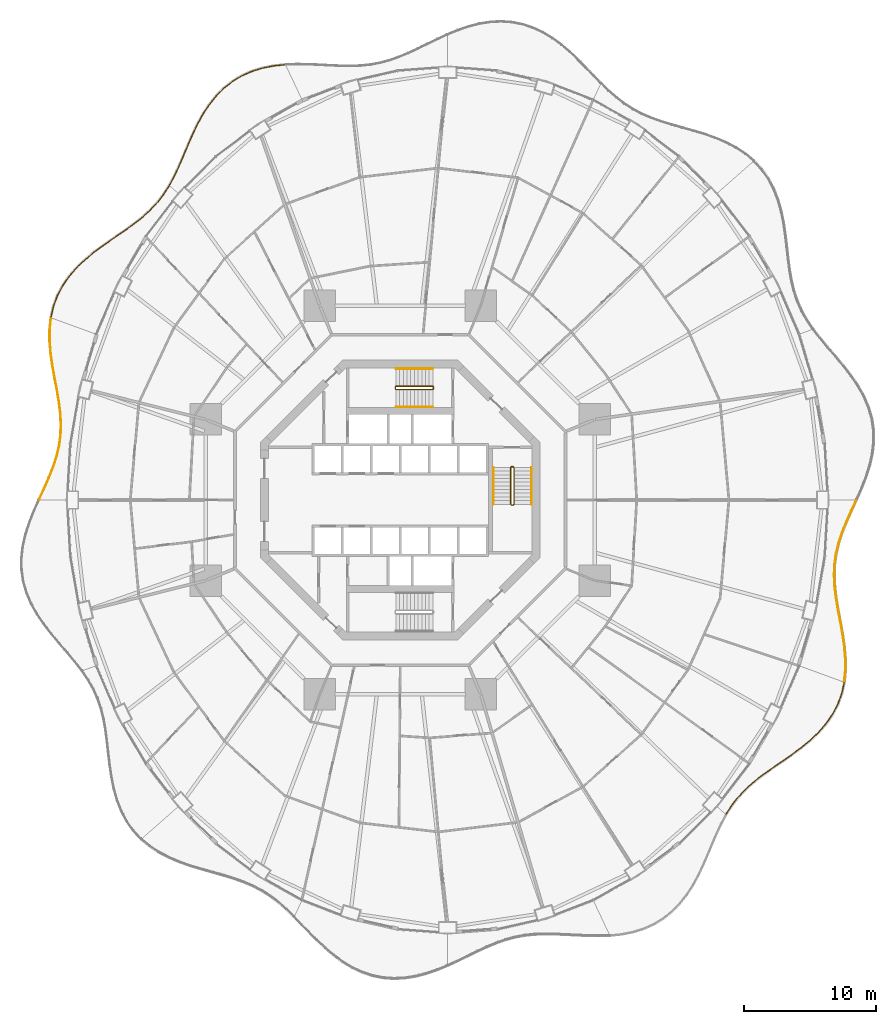
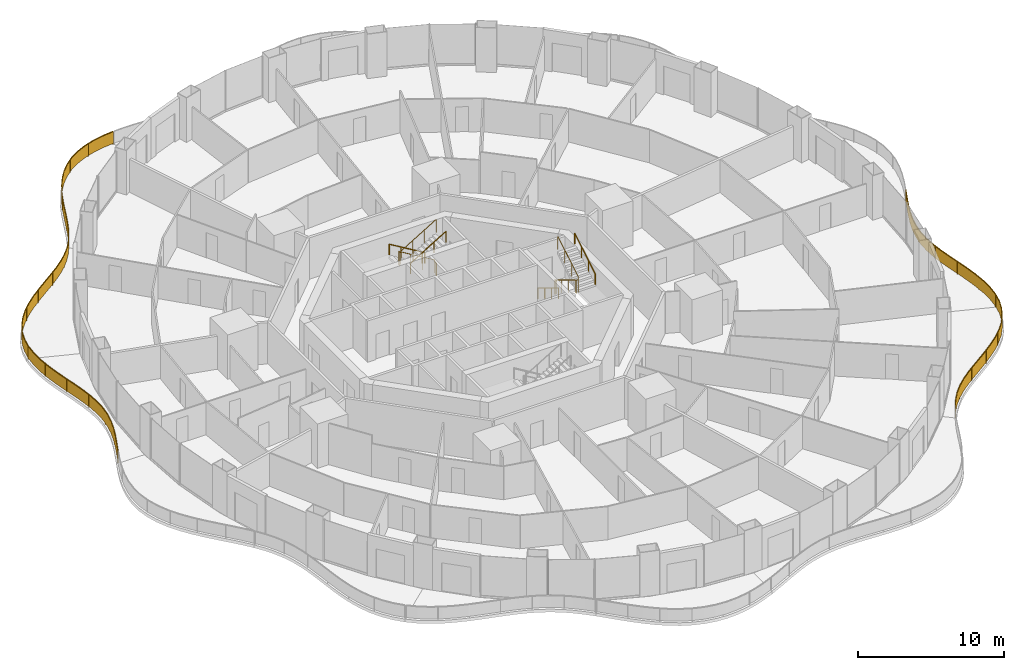
# One storey, part 21 of 22: 11 railings.
"""IFC4 building model written with IfcOpenShell, lengths in metres."""

from ifc_helpers import new_model, si_unit, direction, frame, origin, origin_2d, place, context, subcontext, project, spatial, polyline, rectangle, circle, outline, extrude, material, type_object, element, save


model = new_model("IFC4")

# Units and contexts
model_context = context("Model", 3, precision=1e-05, world=origin(), true_north=direction((0.0, 1.0)))
body_context = subcontext(model_context, "Body", "Model", "MODEL_VIEW")
ifc_project = project(units=[si_unit("LENGTHUNIT", "METRE"), si_unit("AREAUNIT", "SQUARE_METRE"), si_unit("VOLUMEUNIT", "CUBIC_METRE"), si_unit("PLANEANGLEUNIT", "RADIAN"), si_unit("MASSUNIT", "GRAM", prefix="KILO")], contexts=[model_context])

# Site, building, storey
site_placement = place(None, origin())
site = spatial("IfcSite", under=ifc_project, at=site_placement, CompositionType="ELEMENT")
building_placement = place(site_placement, origin())
building = spatial("IfcBuilding", under=site, at=building_placement, Name="Nagisa Residences", CompositionType="ELEMENT")
storey_placement = place(building_placement, frame((0.0, 0.0, 49.199951171875)))
storey = spatial("IfcBuildingStorey", under=building, at=storey_placement, Name="L11", CompositionType="ELEMENT", Elevation=49.199951171875)

# Railings
ifc_material_1 = material(Name="Stainless steel 316", Category="steel")
railing_type_1 = type_object("IfcRailingType", Name="BALCONY GUARD 1100", PredefinedType="BALUSTRADE", material=ifc_material_1)
railing_1_placement = place(storey_placement, frame((-8.765380859375, 33.09228515625, 0.0)))
element("IfcRailing", 1, at=railing_1_placement, inside=storey, type_object=railing_type_1, Name="guard:L11:bal05-0", PredefinedType="BALUSTRADE", context=body_context, shape_type="SweptSolid", body=[
    extrude(outline(polyline([(-0.82861328125, -0.110107421875), (0.00244140625, -0.02490234375), (-0.00244140625, 0.02490234375), (-0.8359375, -0.060791015625), (-1.694580078125, -0.22900390625), (-2.519287109375, -0.483642578125), (-3.29931640625, -0.829833984375), (-4.024169921875, -1.267822265625), (-4.677001953125, -1.7880859375), (-5.27783203125, -2.398193359375), (-5.814453125, -3.078369140625), (-6.290283203125, -3.814697265625), (-6.712890625, -4.590576171875), (-7.07958984375, -5.37841796875), (-7.428466796875, -6.1826171875), (-7.76171875, -6.97705078125), (-8.09423828125, -7.748046875), (-8.441650390625, -8.48486328125), (-8.796142578125, -9.143310546875), (-8.752197265625, -9.167236328125), (-8.396728515625, -8.50732421875), (-8.048828125, -7.7685546875), (-7.7158203125, -6.99658203125), (-7.382568359375, -6.2021484375), (-7.0341796875, -5.39892578125), (-6.66796875, -4.613037109375), (-6.247314453125, -3.840087890625), (-5.77392578125, -3.107666015625), (-5.240234375, -2.431396484375), (-4.643310546875, -1.8251953125), (-3.995361328125, -1.308837890625), (-3.2763671875, -0.874267578125), (-2.501708984375, -0.530517578125), (-1.682373046875, -0.27783203125), (-0.82861328125, -0.110107421875)])), frame((0.0, 0.0, 1.050048828125)), (0.0, 0.0, 1.0), 0.050048828125),
    extrude(outline(polyline([(-0.831298828125, -0.09228515625), (0.000732421875, -0.007080078125), (-0.000732421875, 0.007080078125), (-0.833251953125, -0.07861328125), (-1.690185546875, -0.24658203125), (-2.512939453125, -0.50048828125), (-3.291015625, -0.845947265625), (-4.013671875, -1.282470703125), (-4.664794921875, -1.801513671875), (-5.264404296875, -2.41015625), (-5.7998046875, -3.0888671875), (-6.27490234375, -3.82373046875), (-6.69677734375, -4.5986328125), (-7.063232421875, -5.3857421875), (-7.411865234375, -6.189697265625), (-7.7451171875, -6.984130859375), (-8.077880859375, -7.75537109375), (-8.425537109375, -8.492919921875), (-8.7802734375, -9.15185546875), (-8.76806640625, -9.15869140625), (-8.412841796875, -8.499267578125), (-8.065185546875, -7.76123046875), (-7.732421875, -6.989501953125), (-7.399169921875, -6.195068359375), (-7.050537109375, -5.3916015625), (-6.68408203125, -4.60498046875), (-6.2626953125, -3.8310546875), (-5.78857421875, -3.09716796875), (-5.253662109375, -2.41943359375), (-4.655517578125, -1.811767578125), (-4.005859375, -1.294189453125), (-3.28466796875, -0.858154296875), (-2.508056640625, -0.513671875), (-1.686767578125, -0.26025390625), (-0.831298828125, -0.09228515625)])), frame((0.0, 0.0, 0.06005859375)), (0.0, 0.0, 1.0), 0.989990234375),
    extrude(rectangle(XDim=0.0400390625, YDim=0.0400390625, at=origin_2d()), origin(), (0.0, 0.0, 1.0), 1.050048828125),
    extrude(rectangle(XDim=0.0400390625, YDim=0.0400390625, at=origin_2d()), frame((-2.2177734375, -0.416748046875, 0.0)), (0.0, 0.0, 1.0), 1.050048828125),
    extrude(rectangle(XDim=0.0400390625, YDim=0.0400390625, at=origin_2d()), frame((-4.21533203125, -1.4521484375, 0.0)), (0.0, 0.0, 1.0), 1.050048828125),
    extrude(rectangle(XDim=0.0400390625, YDim=0.0400390625, at=origin_2d()), frame((-5.77978515625, -3.074951171875, 0.0)), (0.0, 0.0, 1.0), 1.050048828125),
    extrude(rectangle(XDim=0.0400390625, YDim=0.0400390625, at=origin_2d()), frame((-6.894775390625, -5.040283203125, 0.0)), (0.0, 0.0, 1.0), 1.050048828125),
    extrude(rectangle(XDim=0.0400390625, YDim=0.0400390625, at=origin_2d()), frame((-7.794677734375, -7.11669921875, 0.0)), (0.0, 0.0, 1.0), 1.050048828125),
    extrude(rectangle(XDim=0.0400390625, YDim=0.0400390625, at=origin_2d()), frame((-8.774169921875, -9.1552734375, 0.0)), (0.0, 0.0, 1.0), 1.050048828125),
])
railing_2_placement = place(storey_placement, frame((-17.573974609375, 23.875244140625, 0.0)))
element("IfcRailing", 2, at=railing_2_placement, inside=storey, type_object=railing_type_1, Name="guard:L11:bal06-0", PredefinedType="BALUSTRADE", context=body_context, shape_type="SweptSolid", body=[
    extrude(outline(polyline([(-0.394287109375, -0.6611328125), (0.02099609375, -0.013427734375), (-0.02099609375, 0.013427734375), (-0.435302734375, -0.63232421875), (-0.92578125, -1.263427734375), (-1.475341796875, -1.849609375), (-2.084228515625, -2.3984375), (-2.7470703125, -2.92041015625), (-3.4462890625, -3.416015625), (-4.18310546875, -3.923828125), (-4.931884765625, -4.4443359375), (-5.671630859375, -4.990234375), (-6.380859375, -5.572021484375), (-7.031982421875, -6.184326171875), (-7.618896484375, -6.858642578125), (-8.118896484375, -7.582763671875), (-8.520263671875, -8.355712890625), (-8.816650390625, -9.17236328125), (-8.99609375, -9.97998046875), (-8.947265625, -9.99072265625), (-8.768310546875, -9.1865234375), (-8.474365234375, -8.375732421875), (-8.075927734375, -7.608642578125), (-7.579345703125, -6.889404296875), (-6.995849609375, -6.218994140625), (-6.34765625, -5.609619140625), (-5.640869140625, -5.02978515625), (-4.902587890625, -4.48486328125), (-4.15478515625, -3.96484375), (-3.41748046875, -3.45703125), (-2.71728515625, -2.96044921875), (-2.052001953125, -2.4365234375), (-1.440185546875, -1.88525390625), (-0.8876953125, -1.296142578125), (-0.394287109375, -0.6611328125)])), frame((0.0, 0.0, 1.050048828125)), (0.0, 0.0, 1.0), 0.050048828125),
    extrude(outline(polyline([(-0.4091796875, -0.65087890625), (0.005859375, -0.003662109375), (-0.005859375, 0.003662109375), (-0.42041015625, -0.642578125), (-0.912109375, -1.275146484375), (-1.462646484375, -1.862548828125), (-2.072509765625, -2.412109375), (-2.736328125, -2.934814453125), (-3.435791015625, -3.4306640625), (-4.1728515625, -3.9384765625), (-4.92138671875, -4.458984375), (-5.66064453125, -5.00439453125), (-6.368896484375, -5.58544921875), (-7.01904296875, -6.19677734375), (-7.604736328125, -6.86962890625), (-8.103515625, -7.592041015625), (-8.503662109375, -8.36279296875), (-8.79931640625, -9.177490234375), (-8.978515625, -9.98388671875), (-8.96484375, -9.98681640625), (-8.78564453125, -9.181396484375), (-8.490966796875, -8.36865234375), (-8.09130859375, -7.599365234375), (-7.593505859375, -6.87841796875), (-7.0087890625, -6.20654296875), (-6.359619140625, -5.59619140625), (-5.65185546875, -5.015625), (-4.9130859375, -4.47021484375), (-4.1650390625, -3.9501953125), (-3.427978515625, -3.4423828125), (-2.72802734375, -2.946044921875), (-2.063720703125, -2.4228515625), (-1.452880859375, -1.872314453125), (-0.9013671875, -1.284423828125), (-0.4091796875, -0.65087890625)])), frame((0.0, 0.0, 0.06005859375)), (0.0, 0.0, 1.0), 0.989990234375),
    extrude(rectangle(XDim=0.0400390625, YDim=0.0400390625, at=origin_2d()), origin(), (0.0, 0.0, 1.0), 1.050048828125),
    extrude(rectangle(XDim=0.0400390625, YDim=0.0400390625, at=origin_2d()), frame((-1.4013671875, -1.807373046875, 0.0)), (0.0, 0.0, 1.0), 1.050048828125),
    extrude(rectangle(XDim=0.0400390625, YDim=0.0400390625, at=origin_2d()), frame((-3.176025390625, -3.255126953125, 0.0)), (0.0, 0.0, 1.0), 1.050048828125),
    extrude(rectangle(XDim=0.0400390625, YDim=0.0400390625, at=origin_2d()), frame((-5.056640625, -4.5673828125, 0.0)), (0.0, 0.0, 1.0), 1.050048828125),
    extrude(rectangle(XDim=0.0400390625, YDim=0.0400390625, at=origin_2d()), frame((-6.824951171875, -6.02392578125, 0.0)), (0.0, 0.0, 1.0), 1.050048828125),
    extrude(rectangle(XDim=0.0400390625, YDim=0.0400390625, at=origin_2d()), frame((-8.2197265625, -7.831298828125, 0.0)), (0.0, 0.0, 1.0), 1.050048828125),
    extrude(rectangle(XDim=0.0400390625, YDim=0.0400390625, at=origin_2d()), frame((-8.9716796875, -9.9853515625, 0.0)), (0.0, 0.0, 1.0), 1.050048828125),
])
railing_3_placement = place(storey_placement, frame((-26.557373046875, 13.8134765625, 0.0)))
element("IfcRailing", 3, at=railing_3_placement, inside=storey, type_object=railing_type_1, Name="guard:L11:bal07-0", PredefinedType="BALUSTRADE", context=body_context, shape_type="SweptSolid", body=[
    extrude(outline(polyline([(-0.060546875, -0.86279296875), (0.02490234375, -0.00244140625), (-0.02490234375, 0.00244140625), (-0.11083984375, -0.8603515625), (-0.107421875, -1.78955078125), (-0.027587890625, -2.7265625), (0.107421875, -3.661865234375), (0.272216796875, -4.5869140625), (0.445068359375, -5.4814453125), (0.59375, -6.36865234375), (0.69921875, -7.2333984375), (0.742919921875, -8.0771484375), (0.71240234375, -8.9033203125), (0.60205078125, -9.703369140625), (0.409423828125, -10.51171875), (0.14306640625, -11.321044921875), (-0.183837890625, -12.13720703125), (-0.55224609375, -12.9658203125), (-0.921875, -13.7685546875), (-0.87646484375, -13.78955078125), (-0.5068359375, -12.986328125), (-0.137939453125, -12.15673828125), (0.18994140625, -11.338134765625), (0.457763671875, -10.525390625), (0.6513671875, -9.712646484375), (0.76220703125, -8.90771484375), (0.793212890625, -8.07666015625), (0.7490234375, -7.22900390625), (0.64306640625, -6.361328125), (0.494384765625, -5.47265625), (0.321533203125, -4.57763671875), (0.15673828125, -3.654052734375), (0.022216796875, -2.720703125), (-0.0576171875, -1.787109375), (-0.060546875, -0.86279296875)])), frame((0.0, 0.0, 1.050048828125)), (0.0, 0.0, 1.0), 0.050048828125),
    extrude(outline(polyline([(-0.07861328125, -0.86181640625), (0.007080078125, -0.000732421875), (-0.007080078125, 0.000732421875), (-0.0927734375, -0.861328125), (-0.089599609375, -1.78857421875), (-0.009521484375, -2.724365234375), (0.125244140625, -3.6591796875), (0.2900390625, -4.58349609375), (0.462890625, -5.478271484375), (0.611572265625, -6.365966796875), (0.717041015625, -7.231689453125), (0.760986328125, -8.076904296875), (0.730224609375, -8.905029296875), (0.619873046875, -9.706787109375), (0.4267578125, -10.5166015625), (0.159912109375, -11.3271484375), (-0.167236328125, -12.144287109375), (-0.535888671875, -12.97314453125), (-0.905517578125, -13.776123046875), (-0.892822265625, -13.781982421875), (-0.523193359375, -12.97900390625), (-0.154541015625, -12.149658203125), (0.173095703125, -11.33203125), (0.4404296875, -10.5205078125), (0.633544921875, -9.709228515625), (0.744384765625, -8.906005859375), (0.775146484375, -8.076904296875), (0.731201171875, -7.230712890625), (0.625244140625, -6.364013671875), (0.4765625, -5.475830078125), (0.3037109375, -4.5810546875), (0.138916015625, -3.65673828125), (0.004150390625, -2.722900390625), (-0.075439453125, -1.7880859375), (-0.07861328125, -0.86181640625)])), frame((0.0, 0.0, 0.06005859375)), (0.0, 0.0, 1.0), 0.989990234375),
    extrude(rectangle(XDim=0.0400390625, YDim=0.0400390625, at=origin_2d()), origin(), (0.0, 0.0, 1.0), 1.050048828125),
    extrude(rectangle(XDim=0.0400390625, YDim=0.0400390625, at=origin_2d()), frame((-0.034423828125, -2.350830078125, 0.0)), (0.0, 0.0, 1.0), 1.050048828125),
    extrude(rectangle(XDim=0.0400390625, YDim=0.0400390625, at=origin_2d()), frame((0.31591796875, -4.6806640625, 0.0)), (0.0, 0.0, 1.0), 1.050048828125),
    extrude(rectangle(XDim=0.0400390625, YDim=0.0400390625, at=origin_2d()), frame((0.69677734375, -7.006103515625, 0.0)), (0.0, 0.0, 1.0), 1.050048828125),
    extrude(rectangle(XDim=0.0400390625, YDim=0.0400390625, at=origin_2d()), frame((0.67529296875, -9.355712890625, 0.0)), (0.0, 0.0, 1.0), 1.050048828125),
    extrude(rectangle(XDim=0.0400390625, YDim=0.0400390625, at=origin_2d()), frame((0.049560546875, -11.62158203125, 0.0)), (0.0, 0.0, 1.0), 1.050048828125),
    extrude(rectangle(XDim=0.0400390625, YDim=0.0400390625, at=origin_2d()), frame((-0.899169921875, -13.779052734375, 0.0)), (0.0, 0.0, 1.0), 1.050048828125),
])
railing_4_placement = place(storey_placement, frame((24.77392578125, -23.875244140625, 0.0)))
element("IfcRailing", 4, at=railing_4_placement, inside=storey, type_object=railing_type_1, Name="guard:L11:bal14-0", PredefinedType="BALUSTRADE", context=body_context, shape_type="SweptSolid", body=[
    extrude(outline(polyline([(0.394287109375, 0.6611328125), (-0.02099609375, 0.013427734375), (0.02099609375, -0.013427734375), (0.435302734375, 0.63232421875), (0.92578125, 1.263427734375), (1.4755859375, 1.849609375), (2.084228515625, 2.3984375), (2.7470703125, 2.92041015625), (3.4462890625, 3.416015625), (4.183349609375, 3.923828125), (4.93212890625, 4.4443359375), (5.671630859375, 4.990234375), (6.381103515625, 5.572021484375), (7.031982421875, 6.184326171875), (7.618896484375, 6.858642578125), (8.118896484375, 7.582763671875), (8.520263671875, 8.355712890625), (8.816650390625, 9.17236328125), (8.99609375, 9.97998046875), (8.947265625, 9.99072265625), (8.768310546875, 9.1865234375), (8.474365234375, 8.375732421875), (8.075927734375, 7.608642578125), (7.579345703125, 6.889404296875), (6.995849609375, 6.218994140625), (6.347900390625, 5.609619140625), (5.640869140625, 5.02978515625), (4.90283203125, 4.48486328125), (4.155029296875, 3.96484375), (3.41748046875, 3.45703125), (2.71728515625, 2.96044921875), (2.052001953125, 2.4365234375), (1.4404296875, 1.88525390625), (0.8876953125, 1.296142578125), (0.394287109375, 0.6611328125)])), frame((0.0, 0.0, 1.050048828125)), (0.0, 0.0, 1.0), 0.050048828125),
    extrude(outline(polyline([(0.4091796875, 0.65087890625), (-0.005859375, 0.003662109375), (0.005859375, -0.003662109375), (0.42041015625, 0.642578125), (0.912109375, 1.275146484375), (1.462890625, 1.862548828125), (2.072509765625, 2.412109375), (2.736328125, 2.934814453125), (3.435791015625, 3.4306640625), (4.173095703125, 3.9384765625), (4.921630859375, 4.458984375), (5.66064453125, 5.00439453125), (6.369140625, 5.58544921875), (7.01904296875, 6.19677734375), (7.604736328125, 6.86962890625), (8.103515625, 7.592041015625), (8.503662109375, 8.36279296875), (8.79931640625, 9.177490234375), (8.978515625, 9.98388671875), (8.96484375, 9.98681640625), (8.78564453125, 9.181396484375), (8.490966796875, 8.36865234375), (8.09130859375, 7.599365234375), (7.593505859375, 6.87841796875), (7.0087890625, 6.20654296875), (6.35986328125, 5.59619140625), (5.65185546875, 5.015625), (4.913330078125, 4.47021484375), (4.165283203125, 3.9501953125), (3.427978515625, 3.4423828125), (2.72802734375, 2.946044921875), (2.063720703125, 2.4228515625), (1.453125, 1.872314453125), (0.9013671875, 1.284423828125), (0.4091796875, 0.65087890625)])), frame((0.0, 0.0, 0.06005859375)), (0.0, 0.0, 1.0), 0.989990234375),
    extrude(rectangle(XDim=0.0400390625, YDim=0.0400390625, at=origin_2d()), origin(), (0.0, 0.0, 1.0), 1.050048828125),
    extrude(rectangle(XDim=0.0400390625, YDim=0.0400390625, at=origin_2d()), frame((1.401611328125, 1.807373046875, 0.0)), (0.0, 0.0, 1.0), 1.050048828125),
    extrude(rectangle(XDim=0.0400390625, YDim=0.0400390625, at=origin_2d()), frame((3.176025390625, 3.255126953125, 0.0)), (0.0, 0.0, 1.0), 1.050048828125),
    extrude(rectangle(XDim=0.0400390625, YDim=0.0400390625, at=origin_2d()), frame((5.056640625, 4.5673828125, 0.0)), (0.0, 0.0, 1.0), 1.050048828125),
    extrude(rectangle(XDim=0.0400390625, YDim=0.0400390625, at=origin_2d()), frame((6.824951171875, 6.02392578125, 0.0)), (0.0, 0.0, 1.0), 1.050048828125),
    extrude(rectangle(XDim=0.0400390625, YDim=0.0400390625, at=origin_2d()), frame((8.2197265625, 7.831298828125, 0.0)), (0.0, 0.0, 1.0), 1.050048828125),
    extrude(rectangle(XDim=0.0400390625, YDim=0.0400390625, at=origin_2d()), frame((8.9716796875, 9.9853515625, 0.0)), (0.0, 0.0, 1.0), 1.050048828125),
])
railing_5_placement = place(storey_placement, frame((33.75732421875, -13.8134765625, 0.0)))
element("IfcRailing", 5, at=railing_5_placement, inside=storey, type_object=railing_type_1, Name="guard:L11:bal15-0", PredefinedType="BALUSTRADE", context=body_context, shape_type="SweptSolid", body=[
    extrude(outline(polyline([(0.060546875, 0.86279296875), (-0.02490234375, 0.00244140625), (0.02490234375, -0.00244140625), (0.11083984375, 0.8603515625), (0.107666015625, 1.78955078125), (0.02783203125, 2.7265625), (-0.107177734375, 3.661865234375), (-0.272216796875, 4.5869140625), (-0.445068359375, 5.4814453125), (-0.59375, 6.36865234375), (-0.69921875, 7.2333984375), (-0.742919921875, 8.0771484375), (-0.71240234375, 8.9033203125), (-0.60205078125, 9.703369140625), (-0.409423828125, 10.51171875), (-0.14306640625, 11.321044921875), (0.183837890625, 12.13720703125), (0.55224609375, 12.9658203125), (0.921875, 13.7685546875), (0.87646484375, 13.78955078125), (0.5068359375, 12.986328125), (0.137939453125, 12.15673828125), (-0.18994140625, 11.338134765625), (-0.457763671875, 10.525390625), (-0.6513671875, 9.712646484375), (-0.76220703125, 8.90771484375), (-0.793212890625, 8.07666015625), (-0.7490234375, 7.22900390625), (-0.64306640625, 6.361328125), (-0.494384765625, 5.47265625), (-0.321533203125, 4.57763671875), (-0.156494140625, 3.654052734375), (-0.02197265625, 2.720703125), (0.057861328125, 1.787109375), (0.060546875, 0.86279296875)])), frame((0.0, 0.0, 1.050048828125)), (0.0, 0.0, 1.0), 0.050048828125),
    extrude(outline(polyline([(0.07861328125, 0.86181640625), (-0.007080078125, 0.000732421875), (0.007080078125, -0.000732421875), (0.0927734375, 0.861328125), (0.08984375, 1.78857421875), (0.009765625, 2.724365234375), (-0.125, 3.6591796875), (-0.2900390625, 4.58349609375), (-0.462890625, 5.478271484375), (-0.611572265625, 6.365966796875), (-0.717041015625, 7.231689453125), (-0.760986328125, 8.076904296875), (-0.730224609375, 8.905029296875), (-0.619873046875, 9.706787109375), (-0.4267578125, 10.5166015625), (-0.159912109375, 11.3271484375), (0.167236328125, 12.144287109375), (0.535888671875, 12.97314453125), (0.905517578125, 13.776123046875), (0.892822265625, 13.781982421875), (0.523193359375, 12.97900390625), (0.154541015625, 12.149658203125), (-0.173095703125, 11.33203125), (-0.4404296875, 10.5205078125), (-0.633544921875, 9.709228515625), (-0.744384765625, 8.906005859375), (-0.775146484375, 8.076904296875), (-0.731201171875, 7.230712890625), (-0.625244140625, 6.364013671875), (-0.4765625, 5.475830078125), (-0.3037109375, 4.5810546875), (-0.138671875, 3.65673828125), (-0.00390625, 2.722900390625), (0.07568359375, 1.7880859375), (0.07861328125, 0.86181640625)])), frame((0.0, 0.0, 0.06005859375)), (0.0, 0.0, 1.0), 0.989990234375),
    extrude(rectangle(XDim=0.0400390625, YDim=0.0400390625, at=origin_2d()), origin(), (0.0, 0.0, 1.0), 1.050048828125),
    extrude(rectangle(XDim=0.0400390625, YDim=0.0400390625, at=origin_2d()), frame((0.03466796875, 2.35107421875, 0.0)), (0.0, 0.0, 1.0), 1.050048828125),
    extrude(rectangle(XDim=0.0400390625, YDim=0.0400390625, at=origin_2d()), frame((-0.31591796875, 4.6806640625, 0.0)), (0.0, 0.0, 1.0), 1.050048828125),
    extrude(rectangle(XDim=0.0400390625, YDim=0.0400390625, at=origin_2d()), frame((-0.69677734375, 7.006103515625, 0.0)), (0.0, 0.0, 1.0), 1.050048828125),
    extrude(rectangle(XDim=0.0400390625, YDim=0.0400390625, at=origin_2d()), frame((-0.67529296875, 9.355712890625, 0.0)), (0.0, 0.0, 1.0), 1.050048828125),
    extrude(rectangle(XDim=0.0400390625, YDim=0.0400390625, at=origin_2d()), frame((-0.049560546875, 11.62158203125, 0.0)), (0.0, 0.0, 1.0), 1.050048828125),
    extrude(rectangle(XDim=0.0400390625, YDim=0.0400390625, at=origin_2d()), frame((0.899169921875, 13.779052734375, 0.0)), (0.0, 0.0, 1.0), 1.050048828125),
])
ifc_material_2 = material(Name="Stainless steel", Category="steel")
railing_type_2 = type_object("IfcRailingType", Name="Stair guard 1100", PredefinedType="GUARDRAIL", material=ifc_material_2)
railing_6_placement = place(storey_placement, frame((8.599609375, 2.52490234375, 0.0)))
element("IfcRailing", 6, at=railing_6_placement, inside=storey, type_object=railing_type_2, Name="L11 ST-E stair guard 1", PredefinedType="GUARDRAIL", context=body_context, shape_type="SweptSolid", body=[
    extrude(circle(Radius=0.02392578125, at=origin_2d()), frame((0.0, 0.0, 1.076171875), z_axis=(-1.0, 0.0, 0.0), x_axis=(0.0, -1.0, 0.0)), (0.0, 0.0, 1.0), 0.14990234375),
    extrude(circle(Radius=0.02392578125, at=origin_2d()), frame((-0.14990234375, 0.0, 1.076171875), z_axis=(-0.27434429532, -0.273006030465, 0.922064485248), x_axis=(0.705375805398, -0.708833529934, 0.0)), (0.0, 0.0, 1.0), 0.182373046875),
    extrude(circle(Radius=0.02392578125, at=origin_2d()), frame((-0.199951171875, -0.0498046875, 1.244140625), z_axis=(0.0, -0.857242210791, 0.514913383045), x_axis=(1.0, 0.0, 0.0)), (0.0, 0.0, 1.0), 3.266357421875),
    extrude(circle(Radius=0.02392578125, at=origin_2d()), frame((-0.199951171875, -2.849853515625, 2.92626953125), z_axis=(0.707106781187, -0.707106781187, 0.0), x_axis=(0.707106781187, 0.707106781187, 0.0)), (0.0, 0.0, 1.0), 0.07080078125),
    extrude(circle(Radius=0.02392578125, at=origin_2d()), frame((-0.14990234375, -2.89990234375, 2.92626953125), z_axis=(1.0, 0.0, 0.0), x_axis=(0.0, 1.0, 0.0)), (0.0, 0.0, 1.0), 0.14990234375),
    extrude(circle(Radius=0.02392578125, at=origin_2d()), frame((0.0, -2.89990234375, 2.92626953125), z_axis=(0.274243871929, 0.274243871929, 0.92172696468), x_axis=(-0.707106781187, 0.707106781187, 0.0)), (0.0, 0.0, 1.0), 0.1826171875),
    extrude(circle(Radius=0.02392578125, at=origin_2d()), frame((0.050048828125, -2.849853515625, 3.09423828125), z_axis=(0.0, 0.857275202839, 0.514858452973), x_axis=(-1.0, 0.0, 0.0)), (0.0, 0.0, 1.0), 3.26611328125),
    extrude(circle(Radius=0.02099609375, at=origin_2d()), origin(), (0.0, 0.0, 1.0), 1.052001953125),
    extrude(circle(Radius=0.02099609375, at=origin_2d()), frame((-0.14990234375, 0.0, 0.0)), (0.0, 0.0, 1.0), 1.052001953125),
    extrude(circle(Radius=0.02099609375, at=origin_2d()), frame((-0.199951171875, -0.0498046875, 0.168212890625)), (0.0, 0.0, 1.0), 1.052001953125),
    extrude(circle(Radius=0.02099609375, at=origin_2d()), frame((-0.199951171875, -0.983154296875, 0.728759765625)), (0.0, 0.0, 1.0), 1.052001953125),
    extrude(circle(Radius=0.02099609375, at=origin_2d()), frame((-0.199951171875, -1.91650390625, 1.28955078125)), (0.0, 0.0, 1.0), 1.052001953125),
    extrude(circle(Radius=0.02099609375, at=origin_2d()), frame((-0.199951171875, -2.849853515625, 1.85009765625)), (0.0, 0.0, 1.0), 1.052001953125),
    extrude(circle(Radius=0.02099609375, at=origin_2d()), frame((-0.14990234375, -2.89990234375, 1.85009765625)), (0.0, 0.0, 1.0), 1.052001953125),
    extrude(circle(Radius=0.02099609375, at=origin_2d()), frame((0.0, -2.89990234375, 1.85009765625)), (0.0, 0.0, 1.0), 1.052001953125),
    extrude(circle(Radius=0.02099609375, at=origin_2d()), frame((0.050048828125, -2.849853515625, 2.018310546875)), (0.0, 0.0, 1.0), 1.052001953125),
    extrude(circle(Radius=0.02099609375, at=origin_2d()), frame((0.050048828125, -1.91650390625, 2.578857421875)), (0.0, 0.0, 1.0), 1.052001953125),
    extrude(circle(Radius=0.02099609375, at=origin_2d()), frame((0.050048828125, -0.983154296875, 3.139404296875)), (0.0, 0.0, 1.0), 1.052001953125),
    extrude(circle(Radius=0.02099609375, at=origin_2d()), frame((0.050048828125, -0.0498046875, 3.699951171875)), (0.0, 0.0, 1.0), 1.052001953125),
])
railing_7_placement = place(storey_placement, frame((2.52490234375, 8.44970703125, 0.0)))
element("IfcRailing", 7, at=railing_7_placement, inside=storey, type_object=railing_type_2, Name="L11 ST-N stair guard 1", PredefinedType="GUARDRAIL", context=body_context, shape_type="SweptSolid", body=[
    extrude(circle(Radius=0.02392578125, at=origin_2d()), frame((0.0, 0.0, 1.076171875), z_axis=(0.0, 1.0, 0.0), x_axis=(-1.0, 0.0, 0.0)), (0.0, 0.0, 1.0), 0.14990234375),
    extrude(circle(Radius=0.02392578125, at=origin_2d()), frame((0.0, 0.14990234375, 1.076171875), z_axis=(-0.273006030465, 0.27434429532, 0.922064485248), x_axis=(-0.708833529934, -0.705375805398, 0.0)), (0.0, 0.0, 1.0), 0.182373046875),
    extrude(circle(Radius=0.02392578125, at=origin_2d()), frame((-0.0498046875, 0.199951171875, 1.244140625), z_axis=(-0.857242210791, 0.0, 0.514913383045), x_axis=(0.0, -1.0, 0.0)), (0.0, 0.0, 1.0), 3.266357421875),
    extrude(circle(Radius=0.02392578125, at=origin_2d()), frame((-2.849853515625, 0.199951171875, 2.92626953125), z_axis=(-0.707106781187, -0.707106781187, 0.0), x_axis=(0.707106781187, -0.707106781187, 0.0)), (0.0, 0.0, 1.0), 0.07080078125),
    extrude(circle(Radius=0.02392578125, at=origin_2d()), frame((-2.89990234375, 0.14990234375, 2.92626953125), z_axis=(0.0, -1.0, 0.0), x_axis=(1.0, 0.0, 0.0)), (0.0, 0.0, 1.0), 0.14990234375),
    extrude(circle(Radius=0.02392578125, at=origin_2d()), frame((-2.89990234375, 0.0, 2.92626953125), z_axis=(0.274243871929, -0.274243871929, 0.92172696468), x_axis=(0.707106781187, 0.707106781187, 0.0)), (0.0, 0.0, 1.0), 0.1826171875),
    extrude(circle(Radius=0.02392578125, at=origin_2d()), frame((-2.849853515625, -0.050048828125, 3.09423828125), z_axis=(0.857275202839, 0.0, 0.514858452973), x_axis=(0.0, 1.0, 0.0)), (0.0, 0.0, 1.0), 3.26611328125),
    extrude(circle(Radius=0.02099609375, at=origin_2d()), origin(), (0.0, 0.0, 1.0), 1.052001953125),
    extrude(circle(Radius=0.02099609375, at=origin_2d()), frame((0.0, 0.14990234375, 0.0)), (0.0, 0.0, 1.0), 1.052001953125),
    extrude(circle(Radius=0.02099609375, at=origin_2d()), frame((-0.0498046875, 0.199951171875, 0.168212890625)), (0.0, 0.0, 1.0), 1.052001953125),
    extrude(circle(Radius=0.02099609375, at=origin_2d()), frame((-0.983154296875, 0.199951171875, 0.728759765625)), (0.0, 0.0, 1.0), 1.052001953125),
    extrude(circle(Radius=0.02099609375, at=origin_2d()), frame((-1.91650390625, 0.199951171875, 1.28955078125)), (0.0, 0.0, 1.0), 1.052001953125),
    extrude(circle(Radius=0.02099609375, at=origin_2d()), frame((-2.849853515625, 0.199951171875, 1.85009765625)), (0.0, 0.0, 1.0), 1.052001953125),
    extrude(circle(Radius=0.02099609375, at=origin_2d()), frame((-2.89990234375, 0.14990234375, 1.85009765625)), (0.0, 0.0, 1.0), 1.052001953125),
    extrude(circle(Radius=0.02099609375, at=origin_2d()), frame((-2.89990234375, 0.0, 1.85009765625)), (0.0, 0.0, 1.0), 1.052001953125),
    extrude(circle(Radius=0.02099609375, at=origin_2d()), frame((-2.849853515625, -0.050048828125, 2.018310546875)), (0.0, 0.0, 1.0), 1.052001953125),
    extrude(circle(Radius=0.02099609375, at=origin_2d()), frame((-1.91650390625, -0.050048828125, 2.578857421875)), (0.0, 0.0, 1.0), 1.052001953125),
    extrude(circle(Radius=0.02099609375, at=origin_2d()), frame((-0.983154296875, -0.050048828125, 3.139404296875)), (0.0, 0.0, 1.0), 1.052001953125),
    extrude(circle(Radius=0.02099609375, at=origin_2d()), frame((-0.0498046875, -0.050048828125, 3.699951171875)), (0.0, 0.0, 1.0), 1.052001953125),
])
ifc_material_3 = material(Name="Stainless steel", Category="steel")
railing_type_3 = type_object("IfcRailingType", Name="Stair handrail 900", PredefinedType="HANDRAIL", material=ifc_material_3)
railing_8_placement = place(storey_placement, frame((7.07470703125, 2.47509765625, 0.168212890625)))
element("IfcRailing", 8, at=railing_8_placement, inside=storey, type_object=railing_type_3, Name="L11 ST-E stair handrail 1", PredefinedType="HANDRAIL", context=body_context, shape_type="SweptSolid", body=[
    extrude(circle(Radius=0.02392578125, at=origin_2d()), frame((0.0, 0.0, 0.8759765625), z_axis=(0.0, -0.857242210791, 0.514913383045), x_axis=(1.0, 0.0, 0.0)), (0.0, 0.0, 1.0), 3.266357421875),
    extrude(circle(Radius=0.02099609375, at=origin_2d()), origin(), (0.0, 0.0, 1.0), 0.851806640625),
    extrude(circle(Radius=0.02099609375, at=origin_2d()), frame((0.0, -0.933349609375, 0.560546875)), (0.0, 0.0, 1.0), 0.851806640625),
    extrude(circle(Radius=0.02099609375, at=origin_2d()), frame((0.0, -1.86669921875, 1.121337890625)), (0.0, 0.0, 1.0), 0.851806640625),
    extrude(circle(Radius=0.02099609375, at=origin_2d()), frame((0.0, -2.800048828125, 1.681884765625)), (0.0, 0.0, 1.0), 0.851806640625),
])
railing_9_placement = place(storey_placement, frame((9.974609375, -0.324951171875, 2.018310546875)))
element("IfcRailing", 9, at=railing_9_placement, inside=storey, type_object=railing_type_3, Name="L11 ST-E stair handrail 2", PredefinedType="HANDRAIL", context=body_context, shape_type="SweptSolid", body=[
    extrude(circle(Radius=0.02392578125, at=origin_2d()), frame((0.0, 0.0, 0.8759765625), z_axis=(0.0, 0.857275202839, 0.514858452973), x_axis=(-1.0, 0.0, 0.0)), (0.0, 0.0, 1.0), 3.26611328125),
    extrude(circle(Radius=0.02099609375, at=origin_2d()), origin(), (0.0, 0.0, 1.0), 0.851806640625),
    extrude(circle(Radius=0.02099609375, at=origin_2d()), frame((0.0, 0.933349609375, 0.560546875)), (0.0, 0.0, 1.0), 0.851806640625),
    extrude(circle(Radius=0.02099609375, at=origin_2d()), frame((0.0, 1.86669921875, 1.12109375)), (0.0, 0.0, 1.0), 0.851806640625),
    extrude(circle(Radius=0.02099609375, at=origin_2d()), frame((0.0, 2.800048828125, 1.681640625)), (0.0, 0.0, 1.0), 0.851806640625),
])
railing_10_placement = place(storey_placement, frame((2.47509765625, 9.974609375, 0.168212890625)))
element("IfcRailing", 10, at=railing_10_placement, inside=storey, type_object=railing_type_3, Name="L11 ST-N stair handrail 1", PredefinedType="HANDRAIL", context=body_context, shape_type="SweptSolid", body=[
    extrude(circle(Radius=0.02392578125, at=origin_2d()), frame((0.0, 0.0, 0.8759765625), z_axis=(-0.857242210791, 0.0, 0.514913383045), x_axis=(0.0, -1.0, 0.0)), (0.0, 0.0, 1.0), 3.266357421875),
    extrude(circle(Radius=0.02099609375, at=origin_2d()), origin(), (0.0, 0.0, 1.0), 0.851806640625),
    extrude(circle(Radius=0.02099609375, at=origin_2d()), frame((-0.933349609375, 0.0, 0.560546875)), (0.0, 0.0, 1.0), 0.851806640625),
    extrude(circle(Radius=0.02099609375, at=origin_2d()), frame((-1.86669921875, 0.0, 1.121337890625)), (0.0, 0.0, 1.0), 0.851806640625),
    extrude(circle(Radius=0.02099609375, at=origin_2d()), frame((-2.800048828125, 0.0, 1.681884765625)), (0.0, 0.0, 1.0), 0.851806640625),
])
railing_11_placement = place(storey_placement, frame((-0.324951171875, 7.07470703125, 2.018310546875)))
element("IfcRailing", 11, at=railing_11_placement, inside=storey, type_object=railing_type_3, Name="L11 ST-N stair handrail 2", PredefinedType="HANDRAIL", context=body_context, shape_type="SweptSolid", body=[
    extrude(circle(Radius=0.02392578125, at=origin_2d()), frame((0.0, 0.0, 0.8759765625), z_axis=(0.857275202839, 0.0, 0.514858452973), x_axis=(0.0, 1.0, 0.0)), (0.0, 0.0, 1.0), 3.26611328125),
    extrude(circle(Radius=0.02099609375, at=origin_2d()), origin(), (0.0, 0.0, 1.0), 0.851806640625),
    extrude(circle(Radius=0.02099609375, at=origin_2d()), frame((0.933349609375, 0.0, 0.560546875)), (0.0, 0.0, 1.0), 0.851806640625),
    extrude(circle(Radius=0.02099609375, at=origin_2d()), frame((1.86669921875, 0.0, 1.12109375)), (0.0, 0.0, 1.0), 0.851806640625),
    extrude(circle(Radius=0.02099609375, at=origin_2d()), frame((2.800048828125, 0.0, 1.681640625)), (0.0, 0.0, 1.0), 0.851806640625),
])

save(model, "model.ifc")
